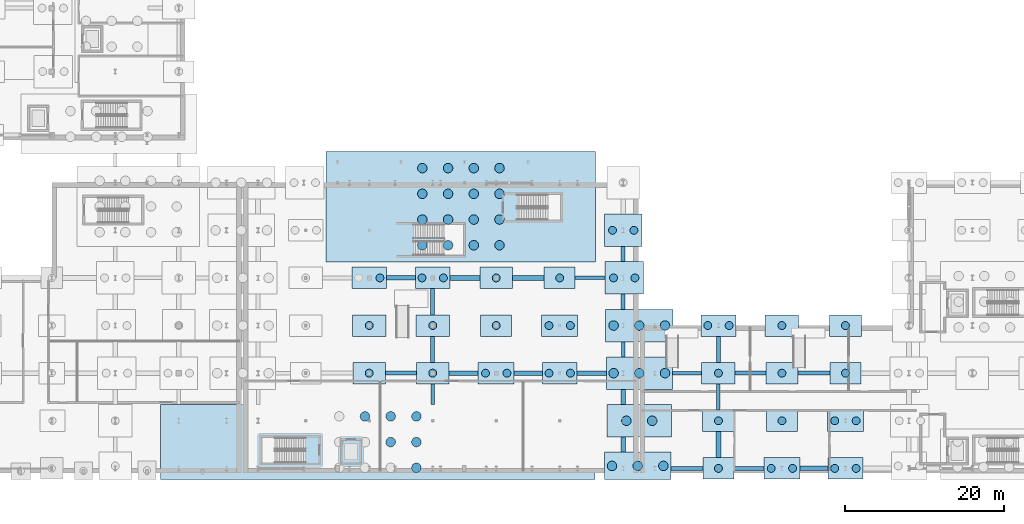
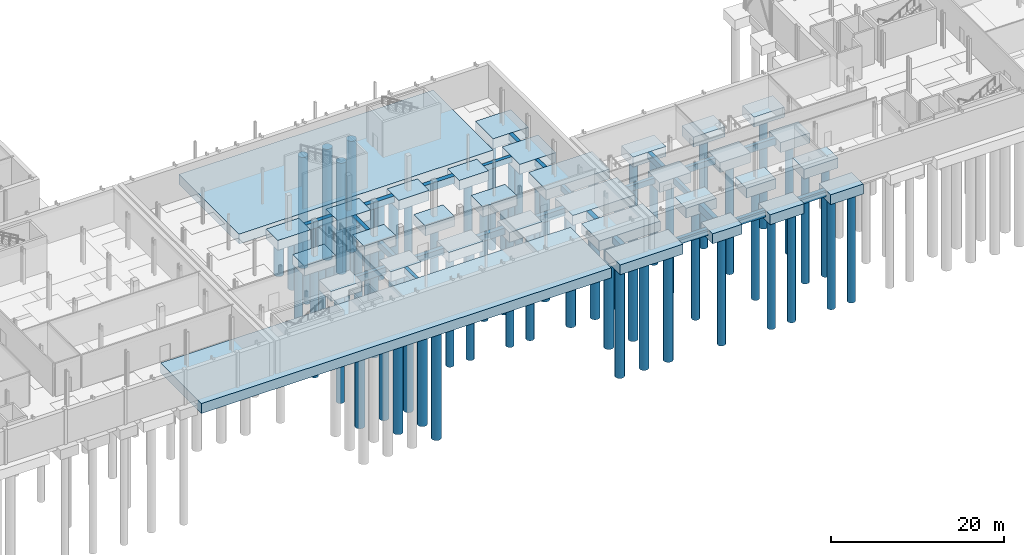
# One storey, part 3 of 47: 69 piles, 57 footings.
"""IFC4 building model written with IfcOpenShell, lengths in metres."""

from ifc_helpers import new_model, si_unit, direction, frame, origin, origin_2d, place, context, subcontext, project, spatial, rectangle, circle, extrude, material, layer, layer_set, material_profile, profile_set, type_object, element, save


model = new_model("IFC4")

# Units and contexts
model_context = context("Model", 3, precision=1e-05, world=origin(), true_north=direction((0.0, 1.0)))
body_context = subcontext(model_context, "Body", "Model", "MODEL_VIEW")
ifc_project = project(units=[si_unit("LENGTHUNIT", "METRE"), si_unit("AREAUNIT", "SQUARE_METRE"), si_unit("VOLUMEUNIT", "CUBIC_METRE"), si_unit("PLANEANGLEUNIT", "RADIAN"), si_unit("MASSUNIT", "GRAM", prefix="KILO")], contexts=[model_context])

# Site, building, storey
site_placement = place(None, origin())
site = spatial("IfcSite", under=ifc_project, at=site_placement, CompositionType="ELEMENT")
building_placement = place(site_placement, origin())
building = spatial("IfcBuilding", under=site, at=building_placement, Name="Cymarion Research Institute", CompositionType="ELEMENT")
storey_placement = place(building_placement, frame((0.0, 0.0, -5.0)))
storey = spatial("IfcBuildingStorey", under=building, at=storey_placement, Name="B1", CompositionType="ELEMENT", Elevation=-5.0)

# Piles
ifc_material = material(Name="Concrete C35/45", Category="concrete")
ifc_material_profile_1 = material_profile(ifc_material, circle(Radius=0.5, at=origin_2d()), Name="BORED PILE D1000")
ifc_profile_set_1 = profile_set([ifc_material_profile_1], Name="Concrete C35/45")
pile_type_1 = type_object("IfcPileType", Name="BORED CONCRETE PILE P2 D1000", PredefinedType="BORED", material=ifc_profile_set_1)
for number, where, z_axis, x_axis, name in (
    (1, (70.60009765625, 17.5, -1.300048828125), (0.0, 0.0, -1.0), (1.0, 0.0, 0.0), "Bored pile P2 #184"),
    (2, (70.60009765625, 23.5, -1.300048828125), (0.0, 0.0, -1.0), (1.0, 0.0, 0.0), "Bored pile P2 #185"),
    (3, (71.949951171875, 29.5, -1.300048828125), (0.0, 0.0, -1.0), (1.0, 0.0, 0.0), "Bored pile P2 #187"),
    (4, (78.60009765625, 17.5, -1.300048828125), (0.0, 0.0, -1.0), (1.0, 0.0, 0.0), "Bored pile P2 #200"),
    (5, (78.60009765625, 23.5, -1.300048828125), (0.0, 0.0, -1.0), (1.0, 0.0, 0.0), "Bored pile P2 #201"),
    (6, (77.25, 29.5, -1.300048828125), (0.0, 0.0, -1.0), (1.0, 0.0, 0.0), "Bored pile P2 #202"),
    (7, (79.949951171875, 29.5, -1.300048828125), (0.0, 0.0, -1.0), (1.0, 0.0, 0.0), "Bored pile P2 #203"),
    (8, (85.25, 17.5, -1.300048828125), (0.0, 0.0, -1.0), (1.0, 0.0, 0.0), "Bored pile P2 #220"),
    (9, (87.949951171875, 17.5, -1.300048828125), (0.0, 0.0, -1.0), (1.0, 0.0, 0.0), "Bored pile P2 #221"),
    (10, (86.60009765625, 23.5, -1.300048828125), (0.0, 0.0, -1.0), (1.0, 0.0, 0.0), "Bored pile P2 #222"),
    (11, (86.60009765625, 29.5, -1.300048828125), (0.0, 0.0, -1.0), (1.0, 0.0, 0.0), "Bored pile P2 #223"),
    (12, (93.25, 17.5, -1.300048828125), (0.0, 0.0, -1.0), (1.0, 0.0, 0.0), "Bored pile P2 #224"),
    (13, (95.949951171875, 17.5, -1.300048828125), (0.0, 0.0, -1.0), (1.0, 0.0, 0.0), "Bored pile P2 #225"),
    (14, (93.25, 23.5, -1.300048828125), (0.0, 0.0, -1.0), (1.0, 0.0, 0.0), "Bored pile P2 #226"),
    (15, (95.949951171875, 23.5, -1.300048828125), (0.0, 0.0, -1.0), (1.0, 0.0, 0.0), "Bored pile P2 #227"),
    (16, (94.60009765625, 29.5, -1.300048828125), (0.0, 0.0, -1.0), (1.0, 0.0, 0.0), "Bored pile P2 #228"),
    (17, (101.25, 35.5, -1.300048828125), (0.0, 0.0, -1.0), (1.0, 0.0, 0.0), "Bored pile P2 #229"),
    (18, (103.949951171875, 35.5, -1.300048828125), (0.0, 0.0, -1.0), (1.0, 0.0, 0.0), "Bored pile P2 #230"),
    (19, (101.3798828125, 29.5, -1.300048828125), (0.0, 0.0, -1.0), (1.0, 0.0, 0.0), "Bored pile P2 #232"),
    (20, (104.080078125, 29.5, -1.300048828125), (0.0, 0.0, -1.0), (1.0, 0.0, 0.0), "Bored pile P2 #233"),
    (21, (114.60009765625, 5.5, -1.300048828125), (0.0, 0.0, -1.0), (1.0, 0.0, 0.0), "Bored pile P2 #245"),
    (22, (114.60009765625, 11.5, -1.300048828125), (0.0, 0.0, -1.0), (1.0, 0.0, 0.0), "Bored pile P2 #246"),
    (23, (114.60009765625, 17.5, -1.300048828125), (0.0, 0.0, -1.0), (1.0, 0.0, 0.0), "Bored pile P2 #247"),
    (24, (113.25, 23.5, -1.300048828125), (0.0, 0.0, -1.0), (1.0, 0.0, 0.0), "Bored pile P2 #248"),
    (25, (115.949951171875, 23.5, -1.300048828125), (0.0, 0.0, -1.0), (1.0, 0.0, 0.0), "Bored pile P2 #249"),
    (26, (121.25, 5.5, -1.300048828125), (0.0, 0.0, -1.0), (1.0, 0.0, 0.0), "Bored pile P2 #250"),
    (27, (123.949951171875, 5.5, -1.300048828125), (0.0, 0.0, -1.0), (1.0, 0.0, 0.0), "Bored pile P2 #251"),
    (28, (122.60009765625, 11.5, -1.300048828125), (0.0, 0.0, -1.0), (1.0, 0.0, 0.0), "Bored pile P2 #252"),
    (29, (122.60009765625, 17.5, -1.300048828125), (0.0, 0.0, -1.0), (1.0, 0.0, 0.0), "Bored pile P2 #253"),
    (30, (122.60009765625, 23.5, -1.300048828125), (0.0, 0.0, -1.0), (1.0, 0.0, 0.0), "Bored pile P2 #254"),
    (31, (129.25, 5.5, -1.300048828125), (0.0, 0.0, -1.0), (1.0, 0.0, 0.0), "Bored pile P2 #255"),
    (32, (131.949951171875, 5.5, -1.300048828125), (0.0, 0.0, -1.0), (1.0, 0.0, 0.0), "Bored pile P2 #256"),
    (33, (129.25, 11.5, -1.300048828125), (0.0, 0.0, -1.0), (1.0, 0.0, 0.0), "Bored pile P2 #257"),
    (34, (131.949951171875, 11.5, -1.300048828125), (0.0, 0.0, -1.0), (1.0, 0.0, 0.0), "Bored pile P2 #258"),
    (35, (130.60009765625, 17.5, -1.300048828125), (0.0, 0.0, -1.0), (1.0, 0.0, 0.0), "Bored pile P2 #259"),
    (36, (130.60009765625, 23.5, -1.300048828125), (0.0, 0.0, -1.0), (1.0, 0.0, 0.0), "Bored pile P2 #260"),
):
    element("IfcPile", number, at=place(storey_placement, frame(where, z_axis=z_axis, x_axis=x_axis)), inside=storey, type_object=pile_type_1, Name=name, PredefinedType="BORED", context=body_context, shape_type="SweptSolid", body=[
        extrude(circle(Radius=0.5, at=origin_2d()), origin(), (0.0, 0.0, 1.0), 15.699951171875),
    ])
ifc_material_profile_2 = material_profile(ifc_material, circle(Radius=0.60009765625, at=origin_2d()), Name="BORED PILE D1200")
ifc_profile_set_2 = profile_set([ifc_material_profile_2], Name="Concrete C35/45")
pile_type_2 = type_object("IfcPileType", Name="BORED CONCRETE PILE P3 D1200", PredefinedType="BORED", material=ifc_profile_set_2)
for number, where, z_axis, x_axis, name in (
    (37, (70.06494140625, 12.054931640625, -1.300048828125), (0.0, 0.0, -1.0), (1.0, 0.0, 0.0), "Bored pile P3 #193"),
    (38, (73.304931640625, 8.81494140625, -1.300048828125), (0.0, 0.0, -1.0), (1.0, 0.0, 0.0), "Bored pile P3 #195"),
    (39, (73.304931640625, 12.054931640625, -1.300048828125), (0.0, 0.0, -1.0), (1.0, 0.0, 0.0), "Bored pile P3 #196"),
    (40, (76.544921875, 5.574951171875, -1.300048828125), (0.0, 0.0, -1.0), (1.0, 0.0, 0.0), "Bored pile P3 #197"),
    (41, (76.544921875, 8.81494140625, -1.300048828125), (0.0, 0.0, -1.0), (1.0, 0.0, 0.0), "Bored pile P3 #198"),
    (42, (76.544921875, 12.054931640625, -1.300048828125), (0.0, 0.0, -1.0), (1.0, 0.0, 0.0), "Bored pile P3 #199"),
    (43, (77.294921875, 33.614990234375, -1.300048828125), (0.0, 0.0, -1.0), (1.0, 0.0, 0.0), "Bored pile P3 #204"),
    (44, (77.294921875, 36.85498046875, -1.300048828125), (0.0, 0.0, -1.0), (1.0, 0.0, 0.0), "Bored pile P3 #205"),
    (45, (77.294921875, 40.094970703125, -1.300048828125), (0.0, 0.0, -1.0), (1.0, 0.0, 0.0), "Bored pile P3 #206"),
    (46, (77.294921875, 43.3349609375, -1.300048828125), (0.0, 0.0, -1.0), (1.0, 0.0, 0.0), "Bored pile P3 #207"),
    (47, (80.534912109375, 33.614990234375, -1.300048828125), (0.0, 0.0, -1.0), (1.0, 0.0, 0.0), "Bored pile P3 #208"),
    (48, (80.534912109375, 36.85498046875, -1.300048828125), (0.0, 0.0, -1.0), (1.0, 0.0, 0.0), "Bored pile P3 #209"),
    (49, (80.534912109375, 40.094970703125, -1.300048828125), (0.0, 0.0, -1.0), (1.0, 0.0, 0.0), "Bored pile P3 #210"),
    (50, (80.534912109375, 43.3349609375, -1.300048828125), (0.0, 0.0, -1.0), (1.0, 0.0, 0.0), "Bored pile P3 #211"),
    (51, (83.77490234375, 33.614990234375, -1.300048828125), (0.0, 0.0, -1.0), (1.0, 0.0, 0.0), "Bored pile P3 #212"),
    (52, (83.77490234375, 36.85498046875, -1.300048828125), (0.0, 0.0, -1.0), (1.0, 0.0, 0.0), "Bored pile P3 #213"),
    (53, (83.77490234375, 40.094970703125, -1.300048828125), (0.0, 0.0, -1.0), (1.0, 0.0, 0.0), "Bored pile P3 #214"),
    (54, (83.77490234375, 43.3349609375, -1.300048828125), (0.0, 0.0, -1.0), (1.0, 0.0, 0.0), "Bored pile P3 #215"),
    (55, (87.014892578125, 33.614990234375, -1.300048828125), (0.0, 0.0, -1.0), (1.0, 0.0, 0.0), "Bored pile P3 #216"),
    (56, (87.014892578125, 36.85498046875, -1.300048828125), (0.0, 0.0, -1.0), (1.0, 0.0, 0.0), "Bored pile P3 #217"),
    (57, (87.014892578125, 40.094970703125, -1.300048828125), (0.0, 0.0, -1.0), (1.0, 0.0, 0.0), "Bored pile P3 #218"),
    (58, (87.014892578125, 43.3349609375, -1.300048828125), (0.0, 0.0, -1.0), (1.0, 0.0, 0.0), "Bored pile P3 #219"),
    (59, (101.18994140625, 5.81494140625, -1.300048828125), (0.0, 0.0, -1.0), (1.0, 0.0, 0.0), "Bored pile P3 #234"),
    (60, (104.429931640625, 5.81494140625, -1.300048828125), (0.0, 0.0, -1.0), (1.0, 0.0, 0.0), "Bored pile P3 #235"),
    (61, (107.669921875, 5.81494140625, -1.300048828125), (0.0, 0.0, -1.0), (1.0, 0.0, 0.0), "Bored pile P3 #236"),
    (62, (103.010009765625, 11.5, -1.300048828125), (0.0, 0.0, -1.0), (1.0, 0.0, 0.0), "Bored pile P3 #237"),
    (63, (106.25, 11.5, -1.300048828125), (0.0, 0.0, -1.0), (1.0, 0.0, 0.0), "Bored pile P3 #238"),
    (64, (101.389892578125, 17.5, -1.300048828125), (0.0, 0.0, -1.0), (1.0, 0.0, 0.0), "Bored pile P3 #239"),
    (65, (104.6298828125, 17.5, -1.300048828125), (0.0, 0.0, -1.0), (1.0, 0.0, 0.0), "Bored pile P3 #240"),
    (66, (107.8701171875, 17.5, -1.300048828125), (0.0, 0.0, -1.0), (1.0, 0.0, 0.0), "Bored pile P3 #241"),
    (67, (101.389892578125, 23.5, -1.300048828125), (0.0, 0.0, -1.0), (1.0, 0.0, 0.0), "Bored pile P3 #242"),
    (68, (104.6298828125, 23.5, -1.300048828125), (0.0, 0.0, -1.0), (1.0, 0.0, 0.0), "Bored pile P3 #243"),
    (69, (107.8701171875, 23.5, -1.300048828125), (0.0, 0.0, -1.0), (1.0, 0.0, 0.0), "Bored pile P3 #244"),
):
    element("IfcPile", number, at=place(storey_placement, frame(where, z_axis=z_axis, x_axis=x_axis)), inside=storey, type_object=pile_type_2, Name=name, PredefinedType="BORED", context=body_context, shape_type="SweptSolid", body=[
        extrude(circle(Radius=0.60009765625, at=origin_2d()), origin(), (0.0, 0.0, 1.0), 15.699951171875),
    ])

# Footings
footing_type_1 = type_object("IfcFootingType", Name="REINFORCED CONCRETE GROUND BEAM GB1 450X800", PredefinedType="FOOTING_BEAM", material=ifc_material)
footing_1_placement = place(storey_placement, frame((110.639892578125, 17.5, -0.7998046875), z_axis=(0.0, 0.0, 1.0), x_axis=(1.0, 0.0, 0.0)))
element("IfcFooting", 70, at=footing_1_placement, inside=storey, type_object=footing_type_1, Name="Seismic tie ground beam GB1 #17", PredefinedType="FOOTING_BEAM", context=body_context, shape_type="SweptSolid", body=[
    extrude(rectangle(XDim=3.699951171875, YDim=0.449951171875, at=origin_2d()), origin(), (0.0, 0.0, 1.0), 0.800048828125),
])
footing_2_placement = place(storey_placement, frame((98.429931640625, 29.5, -0.7998046875), z_axis=(0.0, 0.0, 1.0), x_axis=(1.0, 0.0, 0.0)))
element("IfcFooting", 71, at=footing_2_placement, inside=storey, type_object=footing_type_1, Name="Seismic tie ground beam GB1 #34", PredefinedType="FOOTING_BEAM", context=body_context, shape_type="SweptSolid", body=[
    extrude(rectangle(XDim=3.760009765625, YDim=0.449951171875, at=origin_2d()), origin(), (0.0, 0.0, 1.0), 0.800048828125),
])
footing_3_placement = place(storey_placement, frame((78.60009765625, 14.85009765625, -0.7998046875), z_axis=(0.0, 0.0, 1.0), x_axis=(0.0, 1.0, 0.0)))
element("IfcFooting", 72, at=footing_3_placement, inside=storey, type_object=footing_type_1, Name="Seismic tie ground beam GB1 #103", PredefinedType="FOOTING_BEAM", context=body_context, shape_type="SweptSolid", body=[
    extrude(rectangle(XDim=2.60009765625, YDim=0.449951171875, at=origin_2d()), origin(), (0.0, 0.0, 1.0), 0.800048828125),
])
footing_4_placement = place(storey_placement, frame((102.60009765625, 20.5, -0.7998046875), z_axis=(0.0, 0.0, 1.0), x_axis=(0.0, 1.0, 0.0)))
element("IfcFooting", 73, at=footing_4_placement, inside=storey, type_object=footing_type_1, Name="Seismic tie ground beam GB1 #108", PredefinedType="FOOTING_BEAM", context=body_context, shape_type="SweptSolid", body=[
    extrude(rectangle(XDim=1.89990234375, YDim=0.449951171875, at=origin_2d()), origin(), (0.0, 0.0, 1.0), 0.800048828125),
])
footing_5_placement = place(storey_placement, frame((114.60009765625, 14.5, -0.7998046875), z_axis=(0.0, 0.0, 1.0), x_axis=(0.0, 1.0, 0.0)))
element("IfcFooting", 74, at=footing_5_placement, inside=storey, type_object=footing_type_1, Name="Seismic tie ground beam GB1 #113", PredefinedType="FOOTING_BEAM", context=body_context, shape_type="SweptSolid", body=[
    extrude(rectangle(XDim=3.300048828125, YDim=0.449951171875, at=origin_2d()), origin(), (0.0, 0.0, 1.0), 0.800048828125),
])
footing_type_2 = type_object("IfcFootingType", Name="REINFORCED CONCRETE GROUND BEAM GB2 500X850", PredefinedType="FOOTING_BEAM", material=ifc_material)
footing_6_placement = place(storey_placement, frame((110.639892578125, 5.5, -0.85009765625), z_axis=(0.0, 0.0, 1.0), x_axis=(1.0, 0.0, 0.0)))
element("IfcFooting", 75, at=footing_6_placement, inside=storey, type_object=footing_type_2, Name="Seismic tie ground beam GB2 #1", PredefinedType="FOOTING_BEAM", context=body_context, shape_type="SweptSolid", body=[
    extrude(rectangle(XDim=4.02001953125, YDim=0.5, at=origin_2d()), origin(), (0.0, 0.0, 1.0), 0.85009765625),
])
footing_7_placement = place(storey_placement, frame((118.639892578125, 17.5, -0.85009765625), z_axis=(0.0, 0.0, 1.0), x_axis=(1.0, 0.0, 0.0)))
element("IfcFooting", 76, at=footing_7_placement, inside=storey, type_object=footing_type_2, Name="Seismic tie ground beam GB2 #18", PredefinedType="FOOTING_BEAM", context=body_context, shape_type="SweptSolid", body=[
    extrude(rectangle(XDim=3.860107421875, YDim=0.5, at=origin_2d()), origin(), (0.0, 0.0, 1.0), 0.85009765625),
])
footing_8_placement = place(storey_placement, frame((78.60009765625, 20.5, -0.85009765625), z_axis=(0.0, 0.0, 1.0), x_axis=(0.0, 1.0, 0.0)))
element("IfcFooting", 77, at=footing_8_placement, inside=storey, type_object=footing_type_2, Name="Seismic tie ground beam GB2 #104", PredefinedType="FOOTING_BEAM", context=body_context, shape_type="SweptSolid", body=[
    extrude(rectangle(XDim=3.300048828125, YDim=0.5, at=origin_2d()), origin(), (0.0, 0.0, 1.0), 0.85009765625),
])
footing_9_placement = place(storey_placement, frame((102.60009765625, 26.5, -0.85009765625), z_axis=(0.0, 0.0, 1.0), x_axis=(0.0, 1.0, 0.0)))
element("IfcFooting", 78, at=footing_9_placement, inside=storey, type_object=footing_type_2, Name="Seismic tie ground beam GB2 #109", PredefinedType="FOOTING_BEAM", context=body_context, shape_type="SweptSolid", body=[
    extrude(rectangle(XDim=1.89990234375, YDim=0.5, at=origin_2d()), origin(), (0.0, 0.0, 1.0), 0.85009765625),
])
footing_10_placement = place(storey_placement, frame((114.60009765625, 20.5, -0.85009765625), z_axis=(0.0, 0.0, 1.0), x_axis=(0.0, 1.0, 0.0)))
element("IfcFooting", 79, at=footing_10_placement, inside=storey, type_object=footing_type_2, Name="Seismic tie ground beam GB2 #114", PredefinedType="FOOTING_BEAM", context=body_context, shape_type="SweptSolid", body=[
    extrude(rectangle(XDim=3.300048828125, YDim=0.5, at=origin_2d()), origin(), (0.0, 0.0, 1.0), 0.85009765625),
])
footing_type_3 = type_object("IfcFootingType", Name="REINFORCED CONCRETE GROUND BEAM GB3 500X950", PredefinedType="FOOTING_BEAM", material=ifc_material)
footing_11_placement = place(storey_placement, frame((118.43994140625, 5.5, -0.9501953125), z_axis=(0.0, 0.0, 1.0), x_axis=(1.0, 0.0, 0.0)))
element("IfcFooting", 80, at=footing_11_placement, inside=storey, type_object=footing_type_3, Name="Seismic tie ground beam GB3 #2", PredefinedType="FOOTING_BEAM", context=body_context, shape_type="SweptSolid", body=[
    extrude(rectangle(XDim=3.780029296875, YDim=0.5, at=origin_2d()), origin(), (0.0, 0.0, 1.0), 0.949951171875),
])
footing_12_placement = place(storey_placement, frame((74.60009765625, 17.5, -0.9501953125), z_axis=(0.0, 0.0, 1.0), x_axis=(1.0, 0.0, 0.0)))
element("IfcFooting", 81, at=footing_12_placement, inside=storey, type_object=footing_type_3, Name="Seismic tie ground beam GB3 #13", PredefinedType="FOOTING_BEAM", context=body_context, shape_type="SweptSolid", body=[
    extrude(rectangle(XDim=3.93994140625, YDim=0.5, at=origin_2d()), origin(), (0.0, 0.0, 1.0), 0.949951171875),
])
footing_13_placement = place(storey_placement, frame((126.639892578125, 17.5, -0.9501953125), z_axis=(0.0, 0.0, 1.0), x_axis=(1.0, 0.0, 0.0)))
element("IfcFooting", 82, at=footing_13_placement, inside=storey, type_object=footing_type_3, Name="Seismic tie ground beam GB3 #19", PredefinedType="FOOTING_BEAM", context=body_context, shape_type="SweptSolid", body=[
    extrude(rectangle(XDim=4.02001953125, YDim=0.5, at=origin_2d()), origin(), (0.0, 0.0, 1.0), 0.949951171875),
])
footing_14_placement = place(storey_placement, frame((78.60009765625, 26.5, -0.9501953125), z_axis=(0.0, 0.0, 1.0), x_axis=(0.0, 1.0, 0.0)))
element("IfcFooting", 83, at=footing_14_placement, inside=storey, type_object=footing_type_3, Name="Seismic tie ground beam GB3 #105", PredefinedType="FOOTING_BEAM", context=body_context, shape_type="SweptSolid", body=[
    extrude(rectangle(XDim=3.300048828125, YDim=0.5, at=origin_2d()), origin(), (0.0, 0.0, 1.0), 0.949951171875),
])
footing_15_placement = place(storey_placement, frame((102.60009765625, 32.5, -0.9501953125), z_axis=(0.0, 0.0, 1.0), x_axis=(0.0, 1.0, 0.0)))
element("IfcFooting", 84, at=footing_15_placement, inside=storey, type_object=footing_type_3, Name="Seismic tie ground beam GB3 #110", PredefinedType="FOOTING_BEAM", context=body_context, shape_type="SweptSolid", body=[
    extrude(rectangle(XDim=1.89990234375, YDim=0.5, at=origin_2d()), origin(), (0.0, 0.0, 1.0), 0.949951171875),
])
footing_type_4 = type_object("IfcFootingType", Name="REINFORCED CONCRETE GROUND BEAM GB4 550X900", PredefinedType="FOOTING_BEAM", material=ifc_material)
footing_16_placement = place(storey_placement, frame((126.639892578125, 5.5, -0.89990234375), z_axis=(0.0, 0.0, 1.0), x_axis=(1.0, 0.0, 0.0)))
element("IfcFooting", 85, at=footing_16_placement, inside=storey, type_object=footing_type_4, Name="Seismic tie ground beam GB4 #3", PredefinedType="FOOTING_BEAM", context=body_context, shape_type="SweptSolid", body=[
    extrude(rectangle(XDim=3.5400390625, YDim=0.550048828125, at=origin_2d()), origin(), (0.0, 0.0, 1.0), 0.89990234375),
])
footing_17_placement = place(storey_placement, frame((82.47998046875, 17.5, -0.89990234375), z_axis=(0.0, 0.0, 1.0), x_axis=(1.0, 0.0, 0.0)))
element("IfcFooting", 86, at=footing_17_placement, inside=storey, type_object=footing_type_4, Name="Seismic tie ground beam GB4 #14", PredefinedType="FOOTING_BEAM", context=body_context, shape_type="SweptSolid", body=[
    extrude(rectangle(XDim=3.699951171875, YDim=0.550048828125, at=origin_2d()), origin(), (0.0, 0.0, 1.0), 0.89990234375),
])
footing_18_placement = place(storey_placement, frame((74.60009765625, 29.5, -0.89990234375), z_axis=(0.0, 0.0, 1.0), x_axis=(1.0, 0.0, 0.0)))
element("IfcFooting", 87, at=footing_18_placement, inside=storey, type_object=footing_type_4, Name="Seismic tie ground beam GB4 #31", PredefinedType="FOOTING_BEAM", context=body_context, shape_type="SweptSolid", body=[
    extrude(rectangle(XDim=3.6201171875, YDim=0.550048828125, at=origin_2d()), origin(), (0.0, 0.0, 1.0), 0.89990234375),
])
footing_type_5 = type_object("IfcFootingType", Name="REINFORCED CONCRETE GROUND BEAM GB5 600X900", PredefinedType="FOOTING_BEAM", material=ifc_material)
footing_19_placement = place(storey_placement, frame((90.639892578125, 17.5, -0.89990234375), z_axis=(0.0, 0.0, 1.0), x_axis=(1.0, 0.0, 0.0)))
element("IfcFooting", 88, at=footing_19_placement, inside=storey, type_object=footing_type_5, Name="Seismic tie ground beam GB5 #15", PredefinedType="FOOTING_BEAM", context=body_context, shape_type="SweptSolid", body=[
    extrude(rectangle(XDim=3.5400390625, YDim=0.60009765625, at=origin_2d()), origin(), (0.0, 0.0, 1.0), 0.89990234375),
])
footing_20_placement = place(storey_placement, frame((82.679931640625, 29.5, -0.89990234375), z_axis=(0.0, 0.0, 1.0), x_axis=(1.0, 0.0, 0.0)))
element("IfcFooting", 89, at=footing_20_placement, inside=storey, type_object=footing_type_5, Name="Seismic tie ground beam GB5 #32", PredefinedType="FOOTING_BEAM", context=body_context, shape_type="SweptSolid", body=[
    extrude(rectangle(XDim=3.780029296875, YDim=0.60009765625, at=origin_2d()), origin(), (0.0, 0.0, 1.0), 0.89990234375),
])
footing_21_placement = place(storey_placement, frame((102.60009765625, 8.5, -0.89990234375), z_axis=(0.0, 0.0, 1.0), x_axis=(0.0, 1.0, 0.0)))
element("IfcFooting", 90, at=footing_21_placement, inside=storey, type_object=footing_type_5, Name="Seismic tie ground beam GB5 #106", PredefinedType="FOOTING_BEAM", context=body_context, shape_type="SweptSolid", body=[
    extrude(rectangle(XDim=1.89990234375, YDim=0.60009765625, at=origin_2d()), origin(), (0.0, 0.0, 1.0), 0.89990234375),
])
footing_type_6 = type_object("IfcFootingType", Name="REINFORCED CONCRETE GROUND BEAM GB6 600X1050", PredefinedType="FOOTING_BEAM", material=ifc_material)
footing_22_placement = place(storey_placement, frame((98.6298828125, 17.5, -1.0498046875), z_axis=(0.0, 0.0, 1.0), x_axis=(1.0, 0.0, 0.0)))
element("IfcFooting", 91, at=footing_22_placement, inside=storey, type_object=footing_type_6, Name="Seismic tie ground beam GB6 #16", PredefinedType="FOOTING_BEAM", context=body_context, shape_type="SweptSolid", body=[
    extrude(rectangle(XDim=3.679931640625, YDim=0.60009765625, at=origin_2d()), origin(), (0.0, 0.0, 1.0), 1.050048828125),
])
footing_23_placement = place(storey_placement, frame((90.639892578125, 29.5, -1.0498046875), z_axis=(0.0, 0.0, 1.0), x_axis=(1.0, 0.0, 0.0)))
element("IfcFooting", 92, at=footing_23_placement, inside=storey, type_object=footing_type_6, Name="Seismic tie ground beam GB6 #33", PredefinedType="FOOTING_BEAM", context=body_context, shape_type="SweptSolid", body=[
    extrude(rectangle(XDim=4.02001953125, YDim=0.60009765625, at=origin_2d()), origin(), (0.0, 0.0, 1.0), 1.050048828125),
])
footing_24_placement = place(storey_placement, frame((102.60009765625, 14.5, -1.0498046875), z_axis=(0.0, 0.0, 1.0), x_axis=(0.0, 1.0, 0.0)))
element("IfcFooting", 93, at=footing_24_placement, inside=storey, type_object=footing_type_6, Name="Seismic tie ground beam GB6 #107", PredefinedType="FOOTING_BEAM", context=body_context, shape_type="SweptSolid", body=[
    extrude(rectangle(XDim=1.89990234375, YDim=0.60009765625, at=origin_2d()), origin(), (0.0, 0.0, 1.0), 1.050048828125),
])
footing_25_placement = place(storey_placement, frame((114.60009765625, 8.5, -1.0498046875), z_axis=(0.0, 0.0, 1.0), x_axis=(0.0, 1.0, 0.0)))
element("IfcFooting", 94, at=footing_25_placement, inside=storey, type_object=footing_type_6, Name="Seismic tie ground beam GB6 #112", PredefinedType="FOOTING_BEAM", context=body_context, shape_type="SweptSolid", body=[
    extrude(rectangle(XDim=3.300048828125, YDim=0.60009765625, at=origin_2d()), origin(), (0.0, 0.0, 1.0), 1.050048828125),
])
ifc_layer_1 = layer(ifc_material, 1.39990234375)
ifc_layer_set_1 = layer_set([ifc_layer_1], Name="Concrete C35/45")
footing_type_7 = type_object("IfcFootingType", Name="REINFORCED CONCRETE PILE CAP PC15 4740X4100X1400", PredefinedType="PILE_CAP", material=ifc_layer_set_1)
footing_26_placement = place(storey_placement, frame((102.60009765625, 35.5, -1.39990234375), z_axis=(0.0, 0.0, 1.0), x_axis=(1.0, 0.0, 0.0)))
element("IfcFooting", 95, at=footing_26_placement, inside=storey, type_object=footing_type_7, Name="Pile cap PC15 #99", PredefinedType="PILE_CAP", context=body_context, shape_type="SweptSolid", body=[
    extrude(rectangle(XDim=4.739990234375, YDim=4.10009765625, at=origin_2d()), origin(), (0.0, 0.0, 1.0), 1.39990234375),
])
ifc_layer_2 = layer(ifc_material, 1.39990234375)
ifc_layer_set_2 = layer_set([ifc_layer_2], Name="Concrete C35/45")
footing_type_8 = type_object("IfcFootingType", Name="REINFORCED CONCRETE PILE CAP PC16 3900X2700X1400", PredefinedType="PILE_CAP", material=ifc_layer_set_2)
for number, where, z_axis, x_axis, name in (
    (96, (86.60009765625, 23.5, -1.39990234375), (0.0, 0.0, 1.0), (1.0, 0.0, 0.0), "Pile cap PC16 #94"),
    (97, (94.60009765625, 29.5, -1.39990234375), (0.0, 0.0, 1.0), (1.0, 0.0, 0.0), "Pile cap PC16 #98"),
    (98, (114.60009765625, 5.5, -1.39990234375), (0.0, 0.0, 1.0), (1.0, 0.0, 0.0), "Pile cap PC16 #106"),
    (99, (122.60009765625, 11.5, -1.39990234375), (0.0, 0.0, 1.0), (1.0, 0.0, 0.0), "Pile cap PC16 #111"),
    (100, (130.60009765625, 17.5, -1.39990234375), (0.0, 0.0, 1.0), (1.0, 0.0, 0.0), "Pile cap PC16 #116"),
):
    element("IfcFooting", number, at=place(storey_placement, frame(where, z_axis=z_axis, x_axis=x_axis)), inside=storey, type_object=footing_type_8, Name=name, PredefinedType="PILE_CAP", context=body_context, shape_type="SweptSolid", body=[
        extrude(rectangle(XDim=3.89990234375, YDim=2.699951171875, at=origin_2d()), origin(), (0.0, 0.0, 1.0), 1.39990234375),
    ])
ifc_layer_3 = layer(ifc_material, 1.39990234375)
ifc_layer_set_3 = layer_set([ifc_layer_3], Name="Concrete C35/45")
footing_type_9 = type_object("IfcFootingType", Name="REINFORCED CONCRETE PILE CAP PC17 4380X2700X1400", PredefinedType="PILE_CAP", material=ifc_layer_set_3)
for number, where, z_axis, x_axis, name in (
    (101, (70.60009765625, 29.5, -1.39990234375), (0.0, 0.0, 1.0), (1.0, 0.0, 0.0), "Pile cap PC17 #87"),
    (102, (78.60009765625, 29.5, -1.39990234375), (0.0, 0.0, 1.0), (1.0, 0.0, 0.0), "Pile cap PC17 #91"),
    (103, (94.60009765625, 17.5, -1.39990234375), (0.0, 0.0, 1.0), (1.0, 0.0, 0.0), "Pile cap PC17 #96"),
    (104, (114.60009765625, 23.5, -1.39990234375), (0.0, 0.0, 1.0), (1.0, 0.0, 0.0), "Pile cap PC17 #109"),
    (105, (130.60009765625, 5.5, -1.39990234375), (0.0, 0.0, 1.0), (1.0, 0.0, 0.0), "Pile cap PC17 #114"),
):
    element("IfcFooting", number, at=place(storey_placement, frame(where, z_axis=z_axis, x_axis=x_axis)), inside=storey, type_object=footing_type_9, Name=name, PredefinedType="PILE_CAP", context=body_context, shape_type="SweptSolid", body=[
        extrude(rectangle(XDim=4.3798828125, YDim=2.699951171875, at=origin_2d()), origin(), (0.0, 0.0, 1.0), 1.39990234375),
    ])
ifc_layer_4 = layer(ifc_material, 1.39990234375)
ifc_layer_set_4 = layer_set([ifc_layer_4], Name="Concrete C35/45")
footing_type_10 = type_object("IfcFootingType", Name="REINFORCED CONCRETE PILE CAP PC18 4840X4100X1400", PredefinedType="PILE_CAP", material=ifc_layer_set_4)
footing_27_placement = place(storey_placement, frame((102.72998046875, 29.5, -1.39990234375), z_axis=(0.0, 0.0, 1.0), x_axis=(1.0, 0.0, 0.0)))
element("IfcFooting", 106, at=footing_27_placement, inside=storey, type_object=footing_type_10, Name="Pile cap PC18 #101", PredefinedType="PILE_CAP", context=body_context, shape_type="SweptSolid", body=[
    extrude(rectangle(XDim=4.840087890625, YDim=4.10009765625, at=origin_2d()), origin(), (0.0, 0.0, 1.0), 1.39990234375),
])
ifc_layer_5 = layer(ifc_material, 1.39990234375)
ifc_layer_set_5 = layer_set([ifc_layer_5], Name="Concrete C35/45")
footing_type_11 = type_object("IfcFootingType", Name="REINFORCED CONCRETE PILE CAP PC19 4060X2700X1400", PredefinedType="PILE_CAP", material=ifc_layer_set_5)
for number, where, z_axis, x_axis, name in (
    (107, (70.60009765625, 17.5, -1.39990234375), (0.0, 0.0, 1.0), (1.0, 0.0, 0.0), "Pile cap PC19 #85"),
    (108, (78.60009765625, 17.5, -1.39990234375), (0.0, 0.0, 1.0), (1.0, 0.0, 0.0), "Pile cap PC19 #89"),
    (109, (86.60009765625, 29.5, -1.39990234375), (0.0, 0.0, 1.0), (1.0, 0.0, 0.0), "Pile cap PC19 #95"),
    (110, (114.60009765625, 11.5, -1.39990234375), (0.0, 0.0, 1.0), (1.0, 0.0, 0.0), "Pile cap PC19 #107"),
    (111, (122.60009765625, 17.5, -1.39990234375), (0.0, 0.0, 1.0), (1.0, 0.0, 0.0), "Pile cap PC19 #112"),
    (112, (130.60009765625, 23.5, -1.39990234375), (0.0, 0.0, 1.0), (1.0, 0.0, 0.0), "Pile cap PC19 #117"),
):
    element("IfcFooting", number, at=place(storey_placement, frame(where, z_axis=z_axis, x_axis=x_axis)), inside=storey, type_object=footing_type_11, Name=name, PredefinedType="PILE_CAP", context=body_context, shape_type="SweptSolid", body=[
        extrude(rectangle(XDim=4.06005859375, YDim=2.699951171875, at=origin_2d()), origin(), (0.0, 0.0, 1.0), 1.39990234375),
    ])
ifc_layer_6 = layer(ifc_material, 1.39990234375)
ifc_layer_set_6 = layer_set([ifc_layer_6], Name="Concrete C35/45")
footing_type_12 = type_object("IfcFootingType", Name="REINFORCED CONCRETE PILE CAP PC20 4220X2700X1400", PredefinedType="PILE_CAP", material=ifc_layer_set_6)
for number, where, z_axis, x_axis, name in (
    (113, (70.60009765625, 23.5, -1.39990234375), (0.0, 0.0, 1.0), (1.0, 0.0, 0.0), "Pile cap PC20 #86"),
    (114, (78.60009765625, 23.5, -1.39990234375), (0.0, 0.0, 1.0), (1.0, 0.0, 0.0), "Pile cap PC20 #90"),
    (115, (114.60009765625, 17.5, -1.39990234375), (0.0, 0.0, 1.0), (1.0, 0.0, 0.0), "Pile cap PC20 #108"),
    (116, (122.60009765625, 23.5, -1.39990234375), (0.0, 0.0, 1.0), (1.0, 0.0, 0.0), "Pile cap PC20 #113"),
):
    element("IfcFooting", number, at=place(storey_placement, frame(where, z_axis=z_axis, x_axis=x_axis)), inside=storey, type_object=footing_type_12, Name=name, PredefinedType="PILE_CAP", context=body_context, shape_type="SweptSolid", body=[
        extrude(rectangle(XDim=4.219970703125, YDim=2.699951171875, at=origin_2d()), origin(), (0.0, 0.0, 1.0), 1.39990234375),
    ])
ifc_layer_7 = layer(ifc_material, 1.39990234375)
ifc_layer_set_7 = layer_set([ifc_layer_7], Name="Concrete C35/45")
footing_type_13 = type_object("IfcFootingType", Name="REINFORCED CONCRETE PILE CAP PC21 4540X2700X1400", PredefinedType="PILE_CAP", material=ifc_layer_set_7)
for number, where, z_axis, x_axis, name in (
    (117, (86.60009765625, 17.5, -1.39990234375), (0.0, 0.0, 1.0), (1.0, 0.0, 0.0), "Pile cap PC21 #93"),
    (118, (94.60009765625, 23.5, -1.39990234375), (0.0, 0.0, 1.0), (1.0, 0.0, 0.0), "Pile cap PC21 #97"),
    (119, (122.60009765625, 5.5, -1.39990234375), (0.0, 0.0, 1.0), (1.0, 0.0, 0.0), "Pile cap PC21 #110"),
    (120, (130.60009765625, 11.5, -1.39990234375), (0.0, 0.0, 1.0), (1.0, 0.0, 0.0), "Pile cap PC21 #115"),
):
    element("IfcFooting", number, at=place(storey_placement, frame(where, z_axis=z_axis, x_axis=x_axis)), inside=storey, type_object=footing_type_13, Name=name, PredefinedType="PILE_CAP", context=body_context, shape_type="SweptSolid", body=[
        extrude(rectangle(XDim=4.5400390625, YDim=2.699951171875, at=origin_2d()), origin(), (0.0, 0.0, 1.0), 1.39990234375),
    ])
ifc_layer_8 = layer(ifc_material, 1.39990234375)
ifc_layer_set_8 = layer_set([ifc_layer_8], Name="Concrete C35/45")
footing_type_14 = type_object("IfcFootingType", Name="REINFORCED CONCRETE PILE CAP PC38 54750X9470X1400", PredefinedType="PILE_CAP", material=ifc_layer_set_8)
footing_28_placement = place(storey_placement, frame((71.68505859375, 8.81494140625, -1.39990234375), z_axis=(0.0, 0.0, 1.0), x_axis=(1.0, 0.0, 0.0)))
element("IfcFooting", 121, at=footing_28_placement, inside=storey, type_object=footing_type_14, Name="Pile cap PC38 #88", PredefinedType="PILE_CAP", context=body_context, shape_type="SweptSolid", body=[
    extrude(rectangle(XDim=54.75, YDim=9.469970703125, at=origin_2d()), origin(), (0.0, 0.0, 1.0), 1.39990234375),
])
ifc_layer_9 = layer(ifc_material, 1.39990234375)
ifc_layer_set_9 = layer_set([ifc_layer_9], Name="Concrete C35/45")
footing_type_15 = type_object("IfcFootingType", Name="REINFORCED CONCRETE PILE CAP PC39 33970X13950X1400", PredefinedType="PILE_CAP", material=ifc_layer_set_9)
footing_29_placement = place(storey_placement, frame((82.155029296875, 38.47509765625, -1.39990234375), z_axis=(0.0, 0.0, 1.0), x_axis=(1.0, 0.0, 0.0)))
element("IfcFooting", 122, at=footing_29_placement, inside=storey, type_object=footing_type_15, Name="Pile cap PC39 #92", PredefinedType="PILE_CAP", context=body_context, shape_type="SweptSolid", body=[
    extrude(rectangle(XDim=33.969970703125, YDim=13.949951171875, at=origin_2d()), origin(), (0.0, 0.0, 1.0), 1.39990234375),
])
ifc_layer_10 = layer(ifc_material, 1.39990234375)
ifc_layer_set_10 = layer_set([ifc_layer_10], Name="Concrete C35/45")
footing_type_16 = type_object("IfcFootingType", Name="REINFORCED CONCRETE PILE CAP PC40 8400X3470X1400", PredefinedType="PILE_CAP", material=ifc_layer_set_10)
footing_30_placement = place(storey_placement, frame((104.429931640625, 5.81494140625, -1.39990234375), z_axis=(0.0, 0.0, 1.0), x_axis=(1.0, 0.0, 0.0)))
element("IfcFooting", 123, at=footing_30_placement, inside=storey, type_object=footing_type_16, Name="Pile cap PC40 #102", PredefinedType="PILE_CAP", context=body_context, shape_type="SweptSolid", body=[
    extrude(rectangle(XDim=8.39990234375, YDim=3.469970703125, at=origin_2d()), origin(), (0.0, 0.0, 1.0), 1.39990234375),
])
ifc_layer_11 = layer(ifc_material, 1.39990234375)
ifc_layer_set_11 = layer_set([ifc_layer_11], Name="Concrete C35/45")
footing_type_17 = type_object("IfcFootingType", Name="REINFORCED CONCRETE PILE CAP PC41 8160X4100X1400", PredefinedType="PILE_CAP", material=ifc_layer_set_11)
footing_31_placement = place(storey_placement, frame((104.6298828125, 11.5, -1.39990234375), z_axis=(0.0, 0.0, 1.0), x_axis=(1.0, 0.0, 0.0)))
element("IfcFooting", 124, at=footing_31_placement, inside=storey, type_object=footing_type_17, Name="Pile cap PC41 #103", PredefinedType="PILE_CAP", context=body_context, shape_type="SweptSolid", body=[
    extrude(rectangle(XDim=8.159912109375, YDim=4.10009765625, at=origin_2d()), origin(), (0.0, 0.0, 1.0), 1.39990234375),
])
ifc_layer_12 = layer(ifc_material, 1.39990234375)
ifc_layer_set_12 = layer_set([ifc_layer_12], Name="Concrete C35/45")
footing_type_18 = type_object("IfcFootingType", Name="REINFORCED CONCRETE PILE CAP PC42 8320X4100X1400", PredefinedType="PILE_CAP", material=ifc_layer_set_12)
footing_32_placement = place(storey_placement, frame((104.6298828125, 17.5, -1.39990234375), z_axis=(0.0, 0.0, 1.0), x_axis=(1.0, 0.0, 0.0)))
element("IfcFooting", 125, at=footing_32_placement, inside=storey, type_object=footing_type_18, Name="Pile cap PC42 #104", PredefinedType="PILE_CAP", context=body_context, shape_type="SweptSolid", body=[
    extrude(rectangle(XDim=8.320068359375, YDim=4.10009765625, at=origin_2d()), origin(), (0.0, 0.0, 1.0), 1.39990234375),
])
ifc_layer_13 = layer(ifc_material, 1.39990234375)
ifc_layer_set_13 = layer_set([ifc_layer_13], Name="Concrete C35/45")
footing_type_19 = type_object("IfcFootingType", Name="REINFORCED CONCRETE PILE CAP PC43 8480X4100X1400", PredefinedType="PILE_CAP", material=ifc_layer_set_13)
footing_33_placement = place(storey_placement, frame((104.6298828125, 23.5, -1.39990234375), z_axis=(0.0, 0.0, 1.0), x_axis=(1.0, 0.0, 0.0)))
element("IfcFooting", 126, at=footing_33_placement, inside=storey, type_object=footing_type_19, Name="Pile cap PC43 #105", PredefinedType="PILE_CAP", context=body_context, shape_type="SweptSolid", body=[
    extrude(rectangle(XDim=8.47998046875, YDim=4.10009765625, at=origin_2d()), origin(), (0.0, 0.0, 1.0), 1.39990234375),
])

save(model, "model.ifc")
